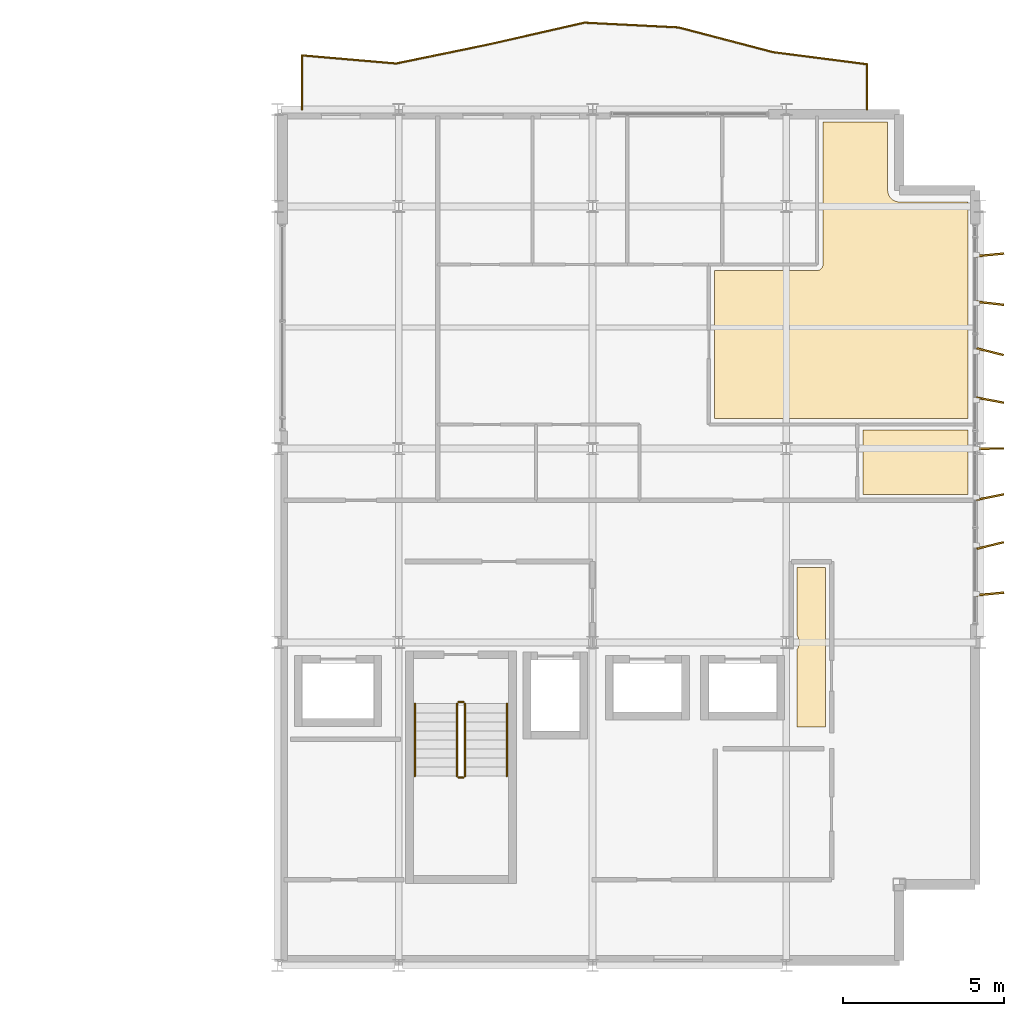
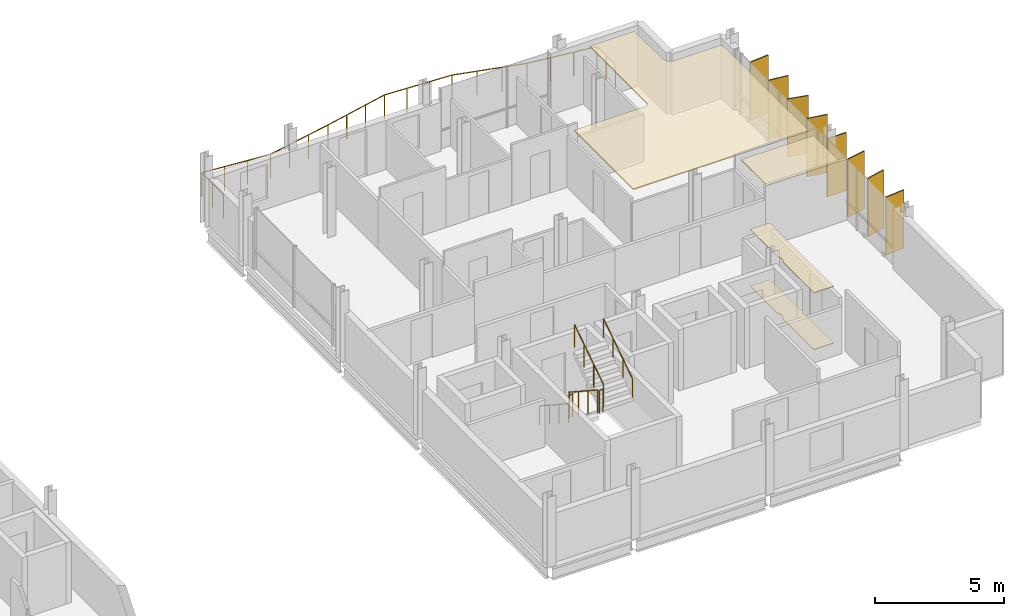
# One storey, part 30 of 30: 8 shading devices, 7 railings, 4 coverings.
"""IFC4 building model written with IfcOpenShell, lengths in metres."""

from ifc_helpers import new_model, si_unit, direction, frame, origin, origin_2d, place, context, subcontext, project, spatial, polyline, rectangle, circle, outline, extrude, material, layer, layer_set, type_object, element, save


model = new_model("IFC4")

# Units and contexts
model_context = context("Model", 3, precision=1e-05, world=origin(), true_north=direction((0.0, 1.0)))
body_context = subcontext(model_context, "Body", "Model", "MODEL_VIEW")
ifc_project = project(units=[si_unit("LENGTHUNIT", "METRE"), si_unit("AREAUNIT", "SQUARE_METRE"), si_unit("VOLUMEUNIT", "CUBIC_METRE"), si_unit("PLANEANGLEUNIT", "RADIAN"), si_unit("MASSUNIT", "GRAM", prefix="KILO")], contexts=[model_context])

# Site, building, storey
site_placement = place(None, origin())
site = spatial("IfcSite", under=ifc_project, at=site_placement, CompositionType="ELEMENT")
building_placement = place(site_placement, origin())
building = spatial("IfcBuilding", under=site, at=building_placement, Name="Brevholm Reach", CompositionType="ELEMENT")
storey_placement = place(building_placement, frame((0.0, 0.0, 211.10009765625)))
storey = spatial("IfcBuildingStorey", under=building, at=storey_placement, Name="L64", CompositionType="ELEMENT", Elevation=211.10009765625)

# Coverings
ifc_material_1 = material(Name="Perforated Mineral-Fibre Class-A Acoustic Suspended Ceiling", Category="gypsum")
ifc_layer_1 = layer(ifc_material_1, 0.044921875)
ifc_layer_set_1 = layer_set([ifc_layer_1], Name="Perforated Mineral-Fibre Class-A Acoustic Suspended Ceiling")
covering_type_1 = type_object("IfcCoveringType", Name="COV-CLG-AC", PredefinedType="CEILING", material=ifc_layer_set_1)
covering_1_placement = place(storey_placement, frame((0.0, 0.0, 2.664794921875)))
element("IfcCovering", 1, at=covering_1_placement, inside=storey, type_object=covering_type_1, Name="L64 Suspended Ceiling L64-51", PredefinedType="CEILING", context=body_context, shape_type="SweptSolid", body=[
    extrude(outline(polyline([(51.780029296875, 16.929931640625), (51.780029296875, 21.51611328125), (54.952392578125, 21.516845703125), (54.97021484375, 21.517822265625), (54.98779296875, 21.5205078125), (55.0048828125, 21.524658203125), (55.021484375, 21.530517578125), (55.037353515625, 21.5380859375), (55.052490234375, 21.547119140625), (55.066650390625, 21.557861328125), (55.079833984375, 21.569580078125), (55.091552734375, 21.582763671875), (55.102294921875, 21.596923828125), (55.111083984375, 21.612060546875), (55.118896484375, 21.6279296875), (55.124755859375, 21.64453125), (55.12890625, 21.66162109375), (55.131591796875, 21.67919921875), (55.132568359375, 21.69677734375), (55.1337890625, 26.1201171875), (57.139892578125, 26.1201171875), (57.139892578125, 24.0), (57.140869140625, 23.982177734375), (57.144287109375, 23.947021484375), (57.14697265625, 23.9296875), (57.151123046875, 23.912841796875), (57.161376953125, 23.879150390625), (57.167236328125, 23.8623046875), (57.1748046875, 23.84619140625), (57.19140625, 23.815185546875), (57.20068359375, 23.800048828125), (57.211181640625, 23.785888671875), (57.2333984375, 23.758544921875), (57.245361328125, 23.745361328125), (57.258544921875, 23.7333984375), (57.285888671875, 23.711181640625), (57.300048828125, 23.70068359375), (57.315185546875, 23.69140625), (57.34619140625, 23.6748046875), (57.3623046875, 23.667236328125), (57.379150390625, 23.661376953125), (57.412841796875, 23.651123046875), (57.4296875, 23.64697265625), (57.447021484375, 23.644287109375), (57.482177734375, 23.640869140625), (57.5, 23.639892578125), (59.6201171875, 23.639892578125), (59.6201171875, 23.623779296875), (59.6171875, 23.6162109375), (59.607666015625, 23.577880859375), (59.601806640625, 23.539306640625), (59.60009765625, 23.5), (59.601806640625, 23.460693359375), (59.607666015625, 23.422119140625), (59.6171875, 23.3837890625), (59.6201171875, 23.376220703125), (59.6201171875, 16.93408203125), (56.199951171875, 16.93408203125), (56.182373046875, 16.93310546875), (56.164794921875, 16.930419921875), (56.16259765625, 16.929931640625), (51.780029296875, 16.929931640625)])), origin(), (0.0, 0.0, 1.0), 0.045166015625),
])
ifc_material_2 = material(Name="Moisture-Resistant Skimmed Gypsum Plasterboard Ceiling", Category="gypsum")
ifc_layer_2 = layer(ifc_material_2, 0.030029296875)
ifc_layer_set_2 = layer_set([ifc_layer_2], Name="Moisture-Resistant Skimmed Gypsum Plasterboard Ceiling")
covering_type_2 = type_object("IfcCoveringType", Name="COV-CLG-GYP", PredefinedType="CEILING", material=ifc_layer_set_2)
covering_2_placement = place(storey_placement, frame((0.0, 0.0, 2.679931640625)))
element("IfcCovering", 2, at=covering_2_placement, inside=storey, type_object=covering_type_2, Name="L64 Suspended Ceiling L64-21", PredefinedType="CEILING", context=body_context, shape_type="SweptSolid", body=[
    extrude(outline(polyline([(54.330078125, 9.7626953125), (54.33056640625, 9.764892578125), (54.33251953125, 9.777587890625), (54.33251953125, 9.77783203125), (54.352783203125, 9.811279296875), (54.36962890625, 9.846923828125), (54.3828125, 9.8837890625), (54.392333984375, 9.922119140625), (54.398193359375, 9.960693359375), (54.39990234375, 10.0), (54.398193359375, 10.039306640625), (54.392333984375, 10.077880859375), (54.3828125, 10.1162109375), (54.36962890625, 10.153076171875), (54.352783203125, 10.188720703125), (54.333984375, 10.219970703125), (54.333984375, 12.320068359375), (55.216064453125, 12.320068359375), (55.216064453125, 7.3798828125), (54.330078125, 7.3798828125), (54.330078125, 9.7626953125)])), origin(), (0.0, 0.0, 1.0), 0.030029296875),
])
covering_3_placement = place(storey_placement, frame((0.0, 0.0, 2.679931640625)))
element("IfcCovering", 3, at=covering_3_placement, inside=storey, type_object=covering_type_2, Name="L64 Suspended Ceiling L64-46", PredefinedType="CEILING", context=body_context, shape_type="SweptSolid", body=[
    extrude(outline(polyline([(56.3798828125, 16.570068359375), (59.6201171875, 16.570068359375), (59.6201171875, 16.123779296875), (59.6171875, 16.1162109375), (59.607666015625, 16.077880859375), (59.601806640625, 16.039306640625), (59.60009765625, 16.0), (59.601806640625, 15.960693359375), (59.607666015625, 15.922119140625), (59.6171875, 15.8837890625), (59.6201171875, 15.876220703125), (59.6201171875, 14.583984375), (56.3798828125, 14.583984375), (56.3798828125, 16.570068359375)])), origin(), (0.0, 0.0, 1.0), 0.030029296875),
])
ifc_material_3 = material(Name="Honed Portland-Aggregate Resin Terrazzo Flooring", Category="concrete")
ifc_layer_3 = layer(ifc_material_3, 0.031982421875)
ifc_layer_set_3 = layer_set([ifc_layer_3], Name="Honed Portland-Aggregate Resin Terrazzo Flooring")
covering_type_3 = type_object("IfcCoveringType", Name="COV-FLR-TRZ", PredefinedType="FLOORING", material=ifc_layer_set_3)
covering_4_placement = place(storey_placement, origin())
element("IfcCovering", 4, at=covering_4_placement, inside=storey, type_object=covering_type_3, Name="L64 Floor Finish L64-21", PredefinedType="FLOORING", context=body_context, shape_type="SweptSolid", body=[
    extrude(outline(polyline([(54.330078125, 9.7626953125), (54.33056640625, 9.764892578125), (54.33251953125, 9.777587890625), (54.33251953125, 9.77783203125), (54.352783203125, 9.811279296875), (54.36962890625, 9.846923828125), (54.3828125, 9.8837890625), (54.392333984375, 9.922119140625), (54.398193359375, 9.960693359375), (54.39990234375, 10.0), (54.398193359375, 10.039306640625), (54.392333984375, 10.077880859375), (54.3828125, 10.1162109375), (54.36962890625, 10.153076171875), (54.352783203125, 10.188720703125), (54.333984375, 10.219970703125), (54.333984375, 12.320068359375), (55.216064453125, 12.320068359375), (55.216064453125, 7.3798828125), (54.330078125, 7.3798828125), (54.330078125, 9.7626953125)])), origin(), (0.0, 0.0, 1.0), 0.031982421875),
])

# Railings
ifc_material_4 = material(Name="Brushed Stainless Steel EN 1.4401 and Laminated Glass", Category="steel")
railing_type_1 = type_object("IfcRailingType", Name="RAL-BALC-1150", PredefinedType="BALUSTRADE", material=ifc_material_4)
railing_1_placement = place(storey_placement, frame((56.5, 26.5, 0.0)))
element("IfcRailing", 5, at=railing_1_placement, inside=storey, type_object=railing_type_1, Name="L64 Guard Balustrade RAL-L64-BAL-NE", PredefinedType="BALUSTRADE", context=body_context, shape_type="SweptSolid", body=[
    extrude(circle(Radius=0.02392578125, at=origin_2d()), frame((0.0, 0.0, 1.1259765625), z_axis=(0.0, 1.0, 0.0), x_axis=(-1.0, 0.0, 0.0)), (0.0, 0.0, 1.0), 1.40380859375),
    extrude(circle(Radius=0.02392578125, at=origin_2d()), frame((0.0, 1.40380859375, 1.1259765625), z_axis=(-0.991825721968, 0.127599910828, 0.0), x_axis=(-0.127599910828, -0.991825721968, 0.0)), (0.0, 0.0, 1.0), 2.940673828125),
    extrude(circle(Radius=0.02392578125, at=origin_2d()), frame((-2.916748046875, 1.779052734375, 1.1259765625), z_axis=(-0.967287116441, 0.253684123205, 0.0), x_axis=(-0.253684123205, -0.967287116441, 0.0)), (0.0, 0.0, 1.0), 3.01513671875),
    extrude(circle(Radius=0.02392578125, at=origin_2d()), frame((-5.833251953125, 2.5439453125, 1.1259765625), z_axis=(-0.998720239463, 0.050575520622, 0.0), x_axis=(-0.050575520622, -0.998720239463, 0.0)), (0.0, 0.0, 1.0), 2.92041015625),
    extrude(circle(Radius=0.02392578125, at=origin_2d()), frame((-8.75, 2.691650390625, 1.1259765625), z_axis=(-0.975066268344, -0.221913884961, 0.0), x_axis=(0.221913884961, -0.975066268344, 0.0)), (0.0, 0.0, 1.0), 2.991455078125),
    extrude(circle(Radius=0.02392578125, at=origin_2d()), frame((-11.666748046875, 2.02783203125, 1.1259765625), z_axis=(-0.979367411888, -0.202087784221, 0.0), x_axis=(0.202087784221, -0.979367411888, 0.0)), (0.0, 0.0, 1.0), 2.97802734375),
    extrude(circle(Radius=0.02392578125, at=origin_2d()), frame((-14.583251953125, 1.426025390625, 1.1259765625), z_axis=(-0.996282713287, 0.086143805376, 0.0), x_axis=(-0.086143805376, -0.996282713287, 0.0)), (0.0, 0.0, 1.0), 2.927734375),
    extrude(circle(Radius=0.02392578125, at=origin_2d()), frame((-17.5, 1.67822265625, 1.1259765625), z_axis=(0.0, -1.0, 0.0), x_axis=(1.0, 0.0, 0.0)), (0.0, 0.0, 1.0), 1.67822265625),
    extrude(circle(Radius=0.02099609375, at=origin_2d()), origin(), (0.0, 0.0, 1.0), 1.101806640625),
    extrude(circle(Radius=0.02099609375, at=origin_2d()), frame((0.0, 0.701904296875, 0.0)), (0.0, 0.0, 1.0), 1.101806640625),
    extrude(circle(Radius=0.02099609375, at=origin_2d()), frame((0.0, 1.40380859375, 0.0)), (0.0, 0.0, 1.0), 1.101806640625),
    extrude(circle(Radius=0.02099609375, at=origin_2d()), frame((-0.97216796875, 1.52880859375, 0.0)), (0.0, 0.0, 1.0), 1.101806640625),
    extrude(circle(Radius=0.02099609375, at=origin_2d()), frame((-1.944580078125, 1.654052734375, 0.0)), (0.0, 0.0, 1.0), 1.101806640625),
    extrude(circle(Radius=0.02099609375, at=origin_2d()), frame((-2.916748046875, 1.779052734375, 0.0)), (0.0, 0.0, 1.0), 1.101806640625),
    extrude(circle(Radius=0.02099609375, at=origin_2d()), frame((-3.888916015625, 2.033935546875, 0.0)), (0.0, 0.0, 1.0), 1.101806640625),
    extrude(circle(Radius=0.02099609375, at=origin_2d()), frame((-4.861083984375, 2.2890625, 0.0)), (0.0, 0.0, 1.0), 1.101806640625),
    extrude(circle(Radius=0.02099609375, at=origin_2d()), frame((-5.833251953125, 2.5439453125, 0.0)), (0.0, 0.0, 1.0), 1.101806640625),
    extrude(circle(Radius=0.02099609375, at=origin_2d()), frame((-6.805419921875, 2.59326171875, 0.0)), (0.0, 0.0, 1.0), 1.101806640625),
    extrude(circle(Radius=0.02099609375, at=origin_2d()), frame((-7.77783203125, 2.642333984375, 0.0)), (0.0, 0.0, 1.0), 1.101806640625),
    extrude(circle(Radius=0.02099609375, at=origin_2d()), frame((-8.75, 2.691650390625, 0.0)), (0.0, 0.0, 1.0), 1.101806640625),
    extrude(circle(Radius=0.02099609375, at=origin_2d()), frame((-9.72216796875, 2.470458984375, 0.0)), (0.0, 0.0, 1.0), 1.101806640625),
    extrude(circle(Radius=0.02099609375, at=origin_2d()), frame((-10.694580078125, 2.2490234375, 0.0)), (0.0, 0.0, 1.0), 1.101806640625),
    extrude(circle(Radius=0.02099609375, at=origin_2d()), frame((-11.666748046875, 2.02783203125, 0.0)), (0.0, 0.0, 1.0), 1.101806640625),
    extrude(circle(Radius=0.02099609375, at=origin_2d()), frame((-12.638916015625, 1.8271484375, 0.0)), (0.0, 0.0, 1.0), 1.101806640625),
    extrude(circle(Radius=0.02099609375, at=origin_2d()), frame((-13.611083984375, 1.626708984375, 0.0)), (0.0, 0.0, 1.0), 1.101806640625),
    extrude(circle(Radius=0.02099609375, at=origin_2d()), frame((-14.583251953125, 1.426025390625, 0.0)), (0.0, 0.0, 1.0), 1.101806640625),
    extrude(circle(Radius=0.02099609375, at=origin_2d()), frame((-15.555419921875, 1.510009765625, 0.0)), (0.0, 0.0, 1.0), 1.101806640625),
    extrude(circle(Radius=0.02099609375, at=origin_2d()), frame((-16.52783203125, 1.59423828125, 0.0)), (0.0, 0.0, 1.0), 1.101806640625),
    extrude(circle(Radius=0.02099609375, at=origin_2d()), frame((-17.5, 1.67822265625, 0.0)), (0.0, 0.0, 1.0), 1.101806640625),
    extrude(circle(Radius=0.02099609375, at=origin_2d()), frame((-17.5, 0.839111328125, 0.0)), (0.0, 0.0, 1.0), 1.101806640625),
    extrude(circle(Radius=0.02099609375, at=origin_2d()), frame((-17.5, 0.0, 0.0)), (0.0, 0.0, 1.0), 1.101806640625),
])
ifc_material_5 = material(Name="Brushed Stainless Steel EN 1.4401 Continuous Handrail", Category="steel")
railing_type_2 = type_object("IfcRailingType", Name="RAL-HND-950", PredefinedType="HANDRAIL", material=ifc_material_5)
railing_2_placement = place(storey_placement, frame((42.5, 8.10009765625, 0.183349609375)))
element("IfcRailing", 6, at=railing_2_placement, inside=storey, type_object=railing_type_2, Name="L64 ST-2 stair handrail 1", PredefinedType="HANDRAIL", context=body_context, shape_type="SweptSolid", body=[
    extrude(circle(Radius=0.02392578125, at=origin_2d()), frame((0.0, 0.0, 0.8857421875), z_axis=(0.0, -0.836636935527, 0.547757827979), x_axis=(1.0, 0.0, 0.0)), (0.0, 0.0, 1.0), 2.677490234375),
    extrude(circle(Radius=0.02099609375, at=origin_2d()), origin(), (0.0, 0.0, 1.0), 0.86181640625),
    extrude(circle(Radius=0.02099609375, at=origin_2d()), frame((0.0, -0.74658203125, 0.48876953125)), (0.0, 0.0, 1.0), 0.86181640625),
    extrude(circle(Radius=0.02099609375, at=origin_2d()), frame((0.0, -1.493408203125, 0.977783203125)), (0.0, 0.0, 1.0), 0.86181640625),
    extrude(circle(Radius=0.02099609375, at=origin_2d()), frame((0.0, -2.239990234375, 1.466552734375)), (0.0, 0.0, 1.0), 0.86181640625),
])
railing_3_placement = place(storey_placement, frame((45.35009765625, 5.860107421875, 1.833251953125)))
element("IfcRailing", 7, at=railing_3_placement, inside=storey, type_object=railing_type_2, Name="L64 ST-2 stair handrail 2", PredefinedType="HANDRAIL", context=body_context, shape_type="SweptSolid", body=[
    extrude(circle(Radius=0.02392578125, at=origin_2d()), frame((0.0, 0.0, 0.8857421875), z_axis=(0.0, 0.836636935527, 0.547757827979), x_axis=(-1.0, 0.0, 0.0)), (0.0, 0.0, 1.0), 2.677490234375),
    extrude(circle(Radius=0.02099609375, at=origin_2d()), origin(), (0.0, 0.0, 1.0), 0.86181640625),
    extrude(circle(Radius=0.02099609375, at=origin_2d()), frame((0.0, 0.74658203125, 0.48876953125)), (0.0, 0.0, 1.0), 0.86181640625),
    extrude(circle(Radius=0.02099609375, at=origin_2d()), frame((0.0, 1.493408203125, 0.977783203125)), (0.0, 0.0, 1.0), 0.86181640625),
    extrude(circle(Radius=0.02099609375, at=origin_2d()), frame((0.0, 2.239990234375, 1.466552734375)), (0.0, 0.0, 1.0), 0.86181640625),
])
ifc_material_6 = material(Name="Painted Tubular Galvanised Steel S275JR Stair Guard", Category="steel")
railing_type_3 = type_object("IfcRailingType", Name="RAL-STG-1120", PredefinedType="BALUSTRADE", material=ifc_material_6)
railing_4_placement = place(storey_placement, frame((43.800048828125, 8.10009765625, 0.183349609375)))
element("IfcRailing", 8, at=railing_4_placement, inside=storey, type_object=railing_type_3, Name="L64 ST-2 stair guard 1", PredefinedType="BALUSTRADE", context=body_context, shape_type="SweptSolid", body=[
    extrude(circle(Radius=0.02392578125, at=origin_2d()), frame((0.0, 0.0, 1.076171875), z_axis=(0.0, -0.836636935527, 0.547757827979), x_axis=(1.0, 0.0, 0.0)), (0.0, 0.0, 1.0), 2.677490234375),
    extrude(circle(Radius=0.02099609375, at=origin_2d()), origin(), (0.0, 0.0, 1.0), 1.052001953125),
    extrude(circle(Radius=0.02099609375, at=origin_2d()), frame((0.0, -0.74658203125, 0.48876953125)), (0.0, 0.0, 1.0), 1.052001953125),
    extrude(circle(Radius=0.02099609375, at=origin_2d()), frame((0.0, -1.493408203125, 0.977783203125)), (0.0, 0.0, 1.0), 1.052001953125),
    extrude(circle(Radius=0.02099609375, at=origin_2d()), frame((0.0, -2.239990234375, 1.466552734375)), (0.0, 0.0, 1.0), 1.052001953125),
])
railing_5_placement = place(storey_placement, frame((43.85009765625, 5.81005859375, 1.64990234375)))
element("IfcRailing", 9, at=railing_5_placement, inside=storey, type_object=railing_type_3, Name="L64 ST-2 stair guard 2", PredefinedType="BALUSTRADE", context=body_context, shape_type="SweptSolid", body=[
    extrude(circle(Radius=0.02392578125, at=origin_2d()), frame((0.0, 0.0, 1.076171875), z_axis=(1.0, 0.0, 0.0), x_axis=(0.0, 1.0, 0.0)), (0.0, 0.0, 1.0), 0.14990234375),
    extrude(circle(Radius=0.02099609375, at=origin_2d()), origin(), (0.0, 0.0, 1.0), 1.052001953125),
    extrude(circle(Radius=0.02099609375, at=origin_2d()), frame((0.14990234375, 0.0, 0.0)), (0.0, 0.0, 1.0), 1.052001953125),
])
railing_6_placement = place(storey_placement, frame((44.050048828125, 5.860107421875, 1.833251953125)))
element("IfcRailing", 10, at=railing_6_placement, inside=storey, type_object=railing_type_3, Name="L64 ST-2 stair guard 3", PredefinedType="BALUSTRADE", context=body_context, shape_type="SweptSolid", body=[
    extrude(circle(Radius=0.02392578125, at=origin_2d()), frame((0.0, 0.0, 1.076171875), z_axis=(0.0, 0.836636935527, 0.547757827979), x_axis=(-1.0, 0.0, 0.0)), (0.0, 0.0, 1.0), 2.677490234375),
    extrude(circle(Radius=0.02099609375, at=origin_2d()), origin(), (0.0, 0.0, 1.0), 1.052001953125),
    extrude(circle(Radius=0.02099609375, at=origin_2d()), frame((0.0, 0.74658203125, 0.48876953125)), (0.0, 0.0, 1.0), 1.052001953125),
    extrude(circle(Radius=0.02099609375, at=origin_2d()), frame((0.0, 1.493408203125, 0.977783203125)), (0.0, 0.0, 1.0), 1.052001953125),
    extrude(circle(Radius=0.02099609375, at=origin_2d()), frame((0.0, 2.239990234375, 1.466552734375)), (0.0, 0.0, 1.0), 1.052001953125),
])
railing_7_placement = place(storey_placement, frame((43.85009765625, 8.14990234375, 0.0)))
element("IfcRailing", 11, at=railing_7_placement, inside=storey, type_object=railing_type_3, Name="L64 ST-2 stair guard 4", PredefinedType="BALUSTRADE", context=body_context, shape_type="SweptSolid", body=[
    extrude(circle(Radius=0.02392578125, at=origin_2d()), frame((0.0, 0.0, 1.076171875), z_axis=(1.0, 0.0, 0.0), x_axis=(0.0, 1.0, 0.0)), (0.0, 0.0, 1.0), 0.14990234375),
    extrude(circle(Radius=0.02099609375, at=origin_2d()), origin(), (0.0, 0.0, 1.0), 1.052001953125),
    extrude(circle(Radius=0.02099609375, at=origin_2d()), frame((0.14990234375, 0.0, 0.0)), (0.0, 0.0, 1.0), 1.052001953125),
])

# Shading devices
ifc_material_7 = material(Name="Perforated Champagne-Bronze Anodised Aluminium", Category="aluminium")
ifc_layer_4 = layer(ifc_material_7, 0.054931640625)
ifc_layer_set_4 = layer_set([ifc_layer_4], Name="Perforated Champagne-Bronze Anodised Aluminium")
shading_device_type = type_object("IfcShadingDeviceType", Name="SHD-FIN-850", PredefinedType="USERDEFINED", material=ifc_layer_set_4)
for number, where, z_axis, x_axis, name in (
    (12, (60.31494140625, 11.5, 0.06982421875), (0.0, 0.0, 1.0), (0.995285131608, 0.096992302785, 0.0), "L64 Perforated Solar Screen Fin 1"),
    (13, (60.31494140625, 13.0, 0.06982421875), (0.0, 0.0, 1.0), (0.972312849907, 0.233682951678, 0.0), "L64 Perforated Solar Screen Fin 2"),
    (14, (60.31494140625, 14.5, 0.06982421875), (0.0, 0.0, 1.0), (0.980662507948, 0.195706529033, 0.0), "L64 Perforated Solar Screen Fin 3"),
    (15, (60.31494140625, 16.0, 0.06982421875), (0.0, 0.0, 1.0), (0.9999524068, 0.009756235739, 0.0), "L64 Perforated Solar Screen Fin 4"),
    (16, (60.31494140625, 17.5, 0.06982421875), (0.0, 0.0, 1.0), (0.982973854272, -0.183745481082, 0.0), "L64 Perforated Solar Screen Fin 5"),
    (17, (60.31494140625, 19.0, 0.06982421875), (0.0, 0.0, 1.0), (0.971288115593, -0.237906276731, 0.0), "L64 Perforated Solar Screen Fin 6"),
    (18, (60.31494140625, 20.5, 0.06982421875), (0.0, 0.0, 1.0), (0.993426818157, -0.114469021861, 0.0), "L64 Perforated Solar Screen Fin 7"),
    (19, (60.31494140625, 22.0, 0.06982421875), (0.0, 0.0, 1.0), (0.995285131608, 0.096992302785, 0.0), "L64 Perforated Solar Screen Fin 8"),
):
    element("IfcShadingDevice", number, at=place(storey_placement, frame(where, z_axis=z_axis, x_axis=x_axis)), inside=storey, type_object=shading_device_type, Name=name, ObjectType="SCREEN", PredefinedType="USERDEFINED", context=body_context, shape_type="SweptSolid", body=[
        extrude(rectangle(XDim=0.85009765625, YDim=0.054931640625, at=origin_2d()), origin(), (0.0, 0.0, 1.0), 2.739990234375),
    ])

save(model, "model.ifc")
